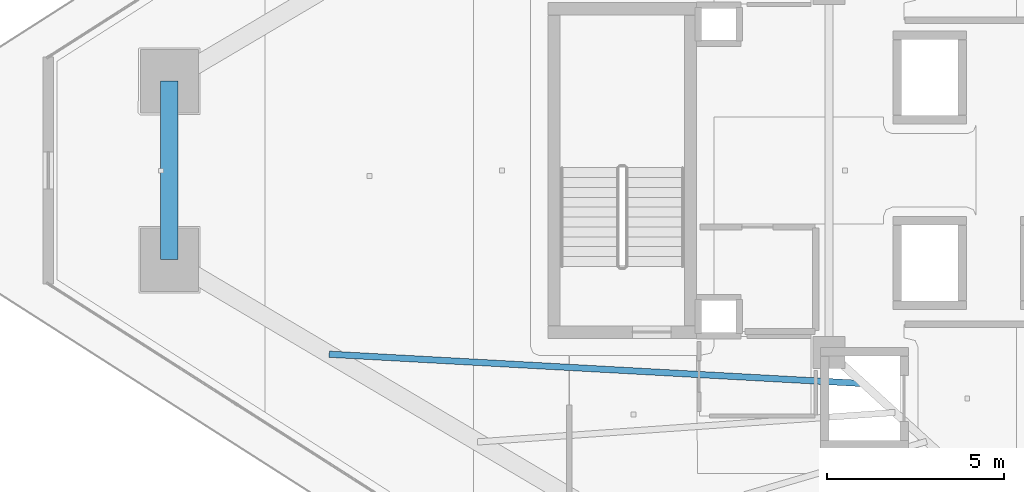
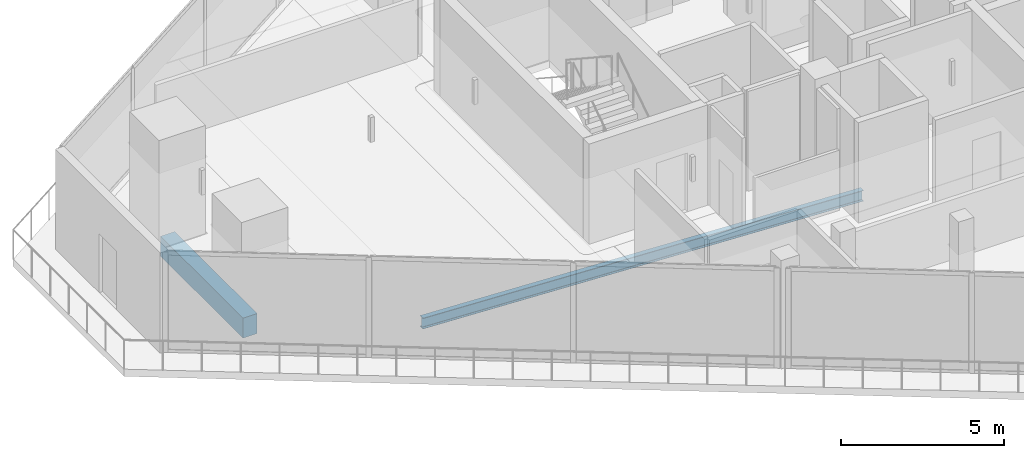
# One storey, part 7 of 34: 2 beams.
"""IFC4 building model written with IfcOpenShell, lengths in metres."""

from ifc_helpers import new_model, si_unit, direction, frame, origin, origin_2d, place, context, subcontext, project, spatial, rectangle, i_section, extrude, material, material_profile, profile_set, type_object, element, save


model = new_model("IFC4")

# Units and contexts
model_context = context("Model", 3, precision=1e-05, world=origin(), true_north=direction((0.0, 1.0)))
body_context = subcontext(model_context, "Body", "Model", "MODEL_VIEW")
ifc_project = project(units=[si_unit("LENGTHUNIT", "METRE"), si_unit("AREAUNIT", "SQUARE_METRE"), si_unit("VOLUMEUNIT", "CUBIC_METRE"), si_unit("PLANEANGLEUNIT", "RADIAN"), si_unit("MASSUNIT", "GRAM", prefix="KILO")], contexts=[model_context])

# Site, building, storey
site_placement = place(None, origin())
site = spatial("IfcSite", under=ifc_project, at=site_placement, CompositionType="ELEMENT")
building_placement = place(site_placement, origin())
building = spatial("IfcBuilding", under=site, at=building_placement, Name="Qorvath Tower", CompositionType="ELEMENT")
storey_placement = place(building_placement, frame((0.0, 0.0, 245.550048828125)))
storey = spatial("IfcBuildingStorey", under=building, at=storey_placement, Name="L57", CompositionType="ELEMENT", Elevation=245.550048828125)

# Beams
ifc_material_1 = material(Name="Steel ASTM A992 Grade 50", Category="steel")
ifc_material_profile_1 = material_profile(ifc_material_1, i_section(OverallWidth=0.177978515625, OverallDepth=0.406005859375, WebThickness=0.0078125, FlangeThickness=0.0126953125, FilletRadius=0.010986328125, at=origin_2d()), Name="W16x40")
ifc_profile_set_1 = profile_set([ifc_material_profile_1], Name="Steel ASTM A992 Grade 50")
beam_type_1 = type_object("IfcBeamType", Name="BM-FJ3", PredefinedType="JOIST", material=ifc_profile_set_1)
beam_1_placement = place(storey_placement, frame((-29.533935546875, -6.031982421875, -0.47314453125), z_axis=(-0.998494745044, 0.054847462293, 0.0), x_axis=(-0.054847462293, -0.998494745044, 0.0)))
element("IfcBeam", 1, at=beam_1_placement, inside=storey, type_object=beam_type_1, Name="Composite Floor Joist SW1 L57", PredefinedType="JOIST", context=body_context, shape_type="SweptSolid", body=[
    extrude(i_section(OverallWidth=0.177978515625, OverallDepth=0.406005859375, WebThickness=0.0078125, FlangeThickness=0.0126953125, FilletRadius=0.010986328125, at=origin_2d()), origin(), (0.0, 0.0, 1.0), 15.138671875),
])
ifc_material_2 = material(Name="Concrete C45/55", Category="concrete")
ifc_material_profile_2 = material_profile(ifc_material_2, rectangle(XDim=0.5, YDim=0.75, at=origin_2d()), Name="RCB 750x500")
ifc_profile_set_2 = profile_set([ifc_material_profile_2], Name="Concrete C45/55")
beam_type_2 = type_object("IfcBeamType", Name="BM-RCB3", PredefinedType="SPANDREL", material=ifc_profile_set_2)
beam_2_placement = place(storey_placement, frame((-49.171875, 2.52783203125, -0.64501953125), z_axis=(0.0, -1.0, 0.0), x_axis=(1.0, 0.0, 0.0)))
element("IfcBeam", 2, at=beam_2_placement, inside=storey, type_object=beam_type_2, Name="Perimeter Loggia Frame Beam MC1-MC2 L57", PredefinedType="SPANDREL", context=body_context, shape_type="SweptSolid", body=[
    extrude(rectangle(XDim=0.5, YDim=0.75, at=origin_2d()), origin(), (0.0, 0.0, 1.0), 5.0556640625),
])

save(model, "model.ifc")
